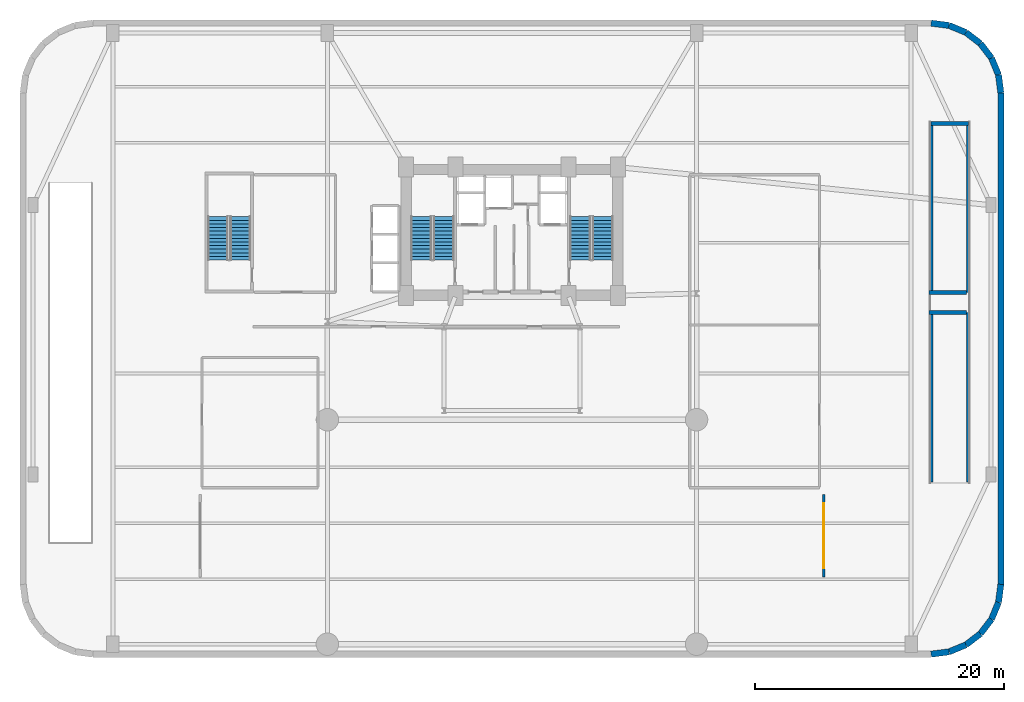
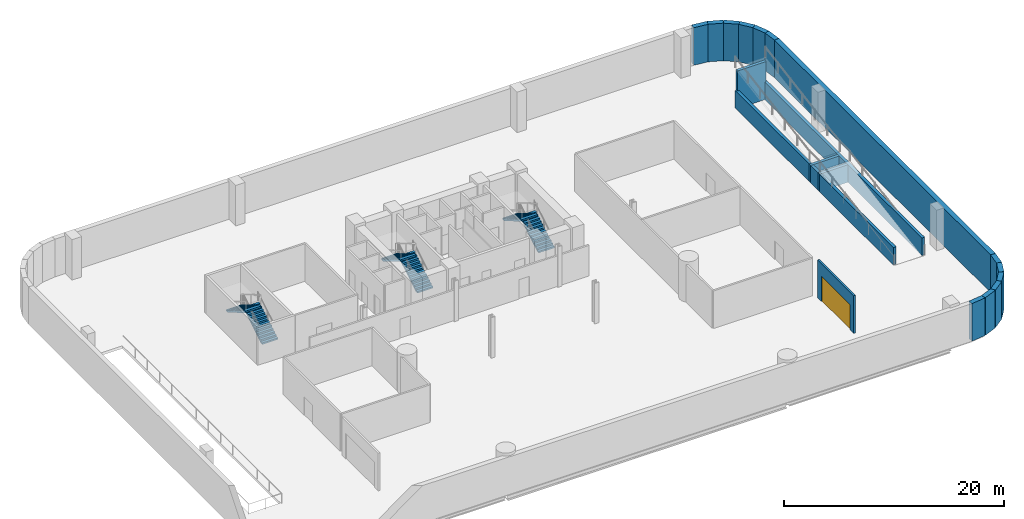
# One storey, part 5 of 8: 19 walls, 6 stair flights, 1 door, 1 opening, 3 elements without a shape of their own.
"""IFC4 building model written with IfcOpenShell, lengths in metres."""

from ifc_helpers import new_model, si_unit, direction, frame, frame_2d, origin, place, context, subcontext, project, spatial, polyline, rectangle, outline, extrude, material, layer, layer_set, type_object, element, fill, aggregate, save


model = new_model("IFC4")

# Units and contexts
model_context = context("Model", 3, precision=1e-05, world=origin(), true_north=direction((0.0, 1.0)))
body_context = subcontext(model_context, "Body", "Model", "MODEL_VIEW")
ifc_project = project(units=[si_unit("LENGTHUNIT", "METRE"), si_unit("AREAUNIT", "SQUARE_METRE"), si_unit("VOLUMEUNIT", "CUBIC_METRE"), si_unit("PLANEANGLEUNIT", "RADIAN"), si_unit("MASSUNIT", "GRAM", prefix="KILO")], contexts=[model_context])

# Site, building, storey
site_placement = place(None, origin())
site = spatial("IfcSite", under=ifc_project, at=site_placement, CompositionType="ELEMENT")
building_placement = place(site_placement, origin())
building = spatial("IfcBuilding", under=site, at=building_placement, Name="Varnelok Gate Tower", CompositionType="ELEMENT")
storey_placement = place(building_placement, frame((0.0, 0.0, -4.5)))
storey = spatial("IfcBuildingStorey", under=building, at=storey_placement, Name="B01", CompositionType="ELEMENT", Elevation=-4.5)

# Wall, opening, door
ifc_material_1 = material(Name="Concrete C35/45", Category="concrete")
ifc_layer_1 = layer(ifc_material_1, 0.199951171875)
ifc_layer_set_1 = layer_set([ifc_layer_1], Name="Concrete C35/45")
wall_type_1 = type_object("IfcWallType", Name="PW-SHAFT-200", PredefinedType="PARTITIONING", material=ifc_layer_set_1)
wall_1_placement = place(storey_placement, frame((64.199951171875, 6.199951171875, 0.0), z_axis=(0.0, 0.0, 1.0), x_axis=(0.0, 1.0, 0.0)))
wall_1 = element("IfcWall", 1, at=wall_1_placement, inside=storey, type_object=wall_type_1, Name="B01 Car Park Fire Zone Barrier 2", PredefinedType="PARTITIONING", context=body_context, shape_type="SweptSolid", body=[
    extrude(rectangle(XDim=6.60009765625, YDim=0.199951171875, at=frame_2d((3.300048828125, 0.0))), origin(), (0.0, 0.0, 1.0), 4.179931640625),
])
opening_placement = place(wall_1_placement, frame((0.699951171875, 0.0, 0.0)))
opening = element("IfcOpeningElement", 2, at=opening_placement, cuts=wall_1, Name="Opening VG-5", PredefinedType="OPENING", context=body_context, shape_type="SweptSolid", body=[
    extrude(rectangle(XDim=5.199951171875, YDim=2.800048828125, at=frame_2d((2.60009765625, 1.39990234375))), frame((0.0, 0.10986328125, 0.0), z_axis=(0.0, -1.0, 0.0), x_axis=(1.0, 0.0, 0.0)), (0.0, 0.0, 1.0), 0.219970703125),
])
ifc_material_2 = material(Name="Galvanized Steel Grade S350GD", Category="steel")
door_type = type_object("IfcDoorType", Name="DR-GATE-5200", OperationType="SLIDING_TO_LEFT", PredefinedType="GATE", material=ifc_material_2)
door_placement = place(opening_placement, origin())
door = element("IfcDoor", 3, at=door_placement, inside=storey, type_object=door_type, Name="B01 Car Park Fire Zone Gate", OperationType="SLIDING_TO_LEFT", OverallHeight=2.800048828125, OverallWidth=5.199951171875, PredefinedType="GATE", context=body_context, shape_type="SweptSolid", body=[
    extrude(rectangle(XDim=5.199951171875, YDim=2.800048828125, at=frame_2d((2.60009765625, 1.39990234375))), frame((0.0, 0.02490234375, 0.0), z_axis=(0.0, -1.0, 0.0), x_axis=(1.0, 0.0, 0.0)), (0.0, 0.0, 1.0), 0.050048828125),
])
fill(opening, door)

# Walls
ifc_material_3 = material(Name="Concrete C50/60", Category="concrete")
ifc_layer_2 = layer(ifc_material_3, 0.5)
ifc_layer_set_2 = layer_set([ifc_layer_2], Name="Concrete C50/60")
wall_type_2 = type_object("IfcWallType", Name="SW-RET-500", PredefinedType="SOLIDWALL", material=ifc_layer_set_2)
for number, where, z_axis, x_axis, name in (
    (4, (74.24951171875, 0.19091796875, 0.0), (0.0, 0.0, 1.0), (-0.991436666421, -0.130588423975, 0.0), "B01 Perimeter Retaining Wall 9"),
    (5, (75.60009765625, 0.750244140625, 0.0), (0.0, 0.0, 1.0), (-0.923904886994, -0.382622215492, 0.0), "B01 Perimeter Retaining Wall 10"),
):
    element("IfcWall", number, at=place(storey_placement, frame(where, z_axis=z_axis, x_axis=x_axis)), inside=storey, type_object=wall_type_2, Name=name, PredefinedType="SOLIDWALL", context=body_context, shape_type="SweptSolid", body=[
        extrude(rectangle(XDim=1.4619140625, YDim=0.5, at=frame_2d((0.73095703125, 0.0))), origin(), (0.0, 0.0, 1.0), 4.179931640625),
    ])
wall_2_placement = place(storey_placement, frame((76.759765625, 1.64013671875, 0.0), z_axis=(0.0, 0.0, 1.0), x_axis=(-0.793337464833, -0.608782117751, 0.0)))
element("IfcWall", 6, at=wall_2_placement, inside=storey, type_object=wall_type_2, Name="B01 Perimeter Retaining Wall 11", PredefinedType="SOLIDWALL", context=body_context, shape_type="SweptSolid", body=[
    extrude(rectangle(XDim=1.461669921875, YDim=0.5, at=frame_2d((0.73095703125, 0.0))), origin(), (0.0, 0.0, 1.0), 4.179931640625),
])
for number, where, z_axis, x_axis, name in (
    (7, (77.649658203125, 2.800048828125, 0.0), (0.0, 0.0, 1.0), (-0.608701460465, -0.793399352173, 0.0), "B01 Perimeter Retaining Wall 12"),
    (8, (78.209228515625, 4.150634765625, 0.0), (0.0, 0.0, 1.0), (-0.382764762462, -0.923845840288, 0.0), "B01 Perimeter Retaining Wall 13"),
    (9, (78.39990234375, 5.60009765625, 0.0), (0.0, 0.0, 1.0), (-0.130424273524, -0.991458273895, 0.0), "B01 Perimeter Retaining Wall 14"),
):
    element("IfcWall", number, at=place(storey_placement, frame(where, z_axis=z_axis, x_axis=x_axis)), inside=storey, type_object=wall_type_2, Name=name, PredefinedType="SOLIDWALL", context=body_context, shape_type="SweptSolid", body=[
        extrude(rectangle(XDim=1.4619140625, YDim=0.5, at=frame_2d((0.73095703125, 0.0))), origin(), (0.0, 0.0, 1.0), 4.179931640625),
    ])
wall_3_placement = place(storey_placement, frame((78.39990234375, 45.0, 0.0), z_axis=(0.0, 0.0, 1.0), x_axis=(0.0, -1.0, 0.0)))
element("IfcWall", 10, at=wall_3_placement, inside=storey, type_object=wall_type_2, Name="B01 Perimeter Retaining Wall 15", PredefinedType="SOLIDWALL", context=body_context, shape_type="SweptSolid", body=[
    extrude(rectangle(XDim=39.39990234375, YDim=0.5, at=frame_2d((19.699951171875, 0.0))), origin(), (0.0, 0.0, 1.0), 4.179931640625),
])
for number, where, z_axis, x_axis, name in (
    (11, (78.209228515625, 46.449462890625, 0.0), (0.0, 0.0, 1.0), (0.130424273524, -0.991458273895, 0.0), "B01 Perimeter Retaining Wall 16"),
    (12, (77.649658203125, 47.800048828125, 0.0), (0.0, 0.0, 1.0), (0.382764762462, -0.923845840288, 0.0), "B01 Perimeter Retaining Wall 17"),
):
    element("IfcWall", number, at=place(storey_placement, frame(where, z_axis=z_axis, x_axis=x_axis)), inside=storey, type_object=wall_type_2, Name=name, PredefinedType="SOLIDWALL", context=body_context, shape_type="SweptSolid", body=[
        extrude(rectangle(XDim=1.4619140625, YDim=0.5, at=frame_2d((0.73095703125, 0.0))), origin(), (0.0, 0.0, 1.0), 4.179931640625),
    ])
for number, where, z_axis, x_axis, name in (
    (13, (76.759765625, 48.959716796875, 0.0), (0.0, 0.0, 1.0), (0.608782117751, -0.793337464833, 0.0), "B01 Perimeter Retaining Wall 18"),
    (14, (75.60009765625, 49.849609375, 0.0), (0.0, 0.0, 1.0), (0.793337464833, -0.608782117751, 0.0), "B01 Perimeter Retaining Wall 19"),
):
    element("IfcWall", number, at=place(storey_placement, frame(where, z_axis=z_axis, x_axis=x_axis)), inside=storey, type_object=wall_type_2, Name=name, PredefinedType="SOLIDWALL", context=body_context, shape_type="SweptSolid", body=[
        extrude(rectangle(XDim=1.461669921875, YDim=0.5, at=frame_2d((0.73095703125, 0.0))), origin(), (0.0, 0.0, 1.0), 4.179931640625),
    ])
for number, where, z_axis, x_axis, name in (
    (15, (74.24951171875, 50.4091796875, 0.0), (0.0, 0.0, 1.0), (0.923845840288, -0.382764762462, 0.0), "B01 Perimeter Retaining Wall 20"),
    (16, (72.800048828125, 50.60009765625, 0.0), (0.0, 0.0, 1.0), (0.991436666421, -0.130588423975, 0.0), "B01 Perimeter Retaining Wall 21"),
):
    element("IfcWall", number, at=place(storey_placement, frame(where, z_axis=z_axis, x_axis=x_axis)), inside=storey, type_object=wall_type_2, Name=name, PredefinedType="SOLIDWALL", context=body_context, shape_type="SweptSolid", body=[
        extrude(rectangle(XDim=1.4619140625, YDim=0.5, at=frame_2d((0.73095703125, 0.0))), origin(), (0.0, 0.0, 1.0), 4.179931640625),
    ])
ifc_material_4 = material(Name="Concrete C60/75", Category="concrete")
ifc_layer_3 = layer(ifc_material_4, 0.300048828125)
ifc_layer_set_3 = layer_set([ifc_layer_3], Name="Concrete C60/75")
wall_type_3 = type_object("IfcWallType", Name="SW-SHAFT-300", PredefinedType="SHEAR", material=ifc_layer_set_3)
for number, where, z_axis, x_axis, name in (
    (17, (72.64990234375, 27.39990234375, 0.0), (0.0, 0.0, 1.0), (1.0, 0.0, 0.0), "B01 East Ramp Mid-Landing Support Wall 1"),
    (18, (72.64990234375, 29.0, 0.0), (0.0, 0.0, 1.0), (1.0, 0.0, 0.0), "B01 East Ramp Mid-Landing Support Wall 2"),
):
    element("IfcWall", number, at=place(storey_placement, frame(where, z_axis=z_axis, x_axis=x_axis)), inside=storey, type_object=wall_type_3, Name=name, PredefinedType="SHEAR", context=body_context, shape_type="SweptSolid", body=[
        extrude(rectangle(XDim=3.0, YDim=0.300048828125, at=frame_2d((1.5, 0.0))), origin(), (0.0, 0.0, 1.0), 1.949951171875),
    ])
for number, where, z_axis, x_axis, name in (
    (19, (75.800048828125, 13.800048828125, 0.0), (0.0, 0.0, 1.0), (0.0, 1.0, 0.0), "B01 East Ramp East Flank Support Wall"),
    (20, (72.800048828125, 13.800048828125, 0.0), (0.0, 0.0, 1.0), (0.0, 1.0, 0.0), "B01 East Ramp West Flank Support Wall"),
):
    element("IfcWall", number, at=place(storey_placement, frame(where, z_axis=z_axis, x_axis=x_axis)), inside=storey, type_object=wall_type_3, Name=name, PredefinedType="SHEAR", context=body_context, shape_type="SweptSolid", body=[
        extrude(rectangle(XDim=28.800048828125, YDim=0.300048828125, at=frame_2d((14.39990234375, 0.0))), origin(), (0.0, 0.0, 1.0), 1.949951171875),
    ])
wall_4_placement = place(storey_placement, frame((72.800048828125, 42.550048828125, 0.0), z_axis=(0.0, 0.0, 1.0), x_axis=(1.0, 0.0, 0.0)))
element("IfcWall", 21, at=wall_4_placement, inside=storey, type_object=wall_type_3, Name="B01 East Ramp Top Header Support Wall", PredefinedType="SHEAR", context=body_context, shape_type="SweptSolid", body=[
    extrude(rectangle(XDim=3.0, YDim=0.300048828125, at=frame_2d((1.5, 0.0))), origin(), (0.0, 0.0, 1.0), 4.179931640625),
])

# Stair, stair flights
stair_type = type_object("IfcStairType", Name="STR-CORE-1650", PredefinedType="HALF_TURN_STAIR", material=ifc_material_3)
stair_1_placement = place(storey_placement, origin())
stair_1 = element("IfcStair", 22, at=stair_1_placement, inside=storey, type_object=stair_type, Name="B01 Exit Stair ST-1", PredefinedType="HALF_TURN_STAIR")
stair_flight_type = type_object("IfcStairFlightType", Name="SFL-CORE-1650", PredefinedType="STRAIGHT", material=ifc_material_3)
stair_flight_1_placement = place(storey_placement, frame((33.72509765625, 31.60009765625, 0.0), z_axis=(0.0, 0.0, 1.0), x_axis=(0.0, 1.0, 0.0)))
stair_flight_1 = element("IfcStairFlight", 23, at=stair_flight_1_placement, type_object=stair_flight_type, Name="ST-1 flight 1", NumberOfRisers=13, NumberOfTreads=12, PredefinedType="STRAIGHT", RiserHeight=0.173076923, TreadLength=0.29, context=body_context, shape_type="SweptSolid", body=[
    extrude(outline(polyline([(0.0, 0.0), (0.0, 0.173095703125), (0.2900390625, 0.173095703125), (0.2900390625, 0.34619140625), (0.580078125, 0.34619140625), (0.580078125, 0.519287109375), (0.8701171875, 0.519287109375), (0.8701171875, 0.6923828125), (1.159912109375, 0.6923828125), (1.159912109375, 0.865478515625), (1.449951171875, 0.865478515625), (1.449951171875, 1.03857421875), (1.739990234375, 1.03857421875), (1.739990234375, 1.21142578125), (2.030029296875, 1.21142578125), (2.030029296875, 1.384521484375), (2.320068359375, 1.384521484375), (2.320068359375, 1.5576171875), (2.610107421875, 1.5576171875), (2.610107421875, 1.730712890625), (2.89990234375, 1.730712890625), (2.89990234375, 1.90380859375), (3.18994140625, 1.90380859375), (3.18994140625, 2.076904296875), (3.47998046875, 2.076904296875), (3.47998046875, 2.25), (3.47998046875, 1.90234375), (0.29248046875, 0.0), (0.0, 0.0)])), frame((0.0, 0.824951171875, 0.0), z_axis=(0.0, -1.0, 0.0), x_axis=(1.0, 0.0, 0.0)), (0.0, 0.0, 1.0), 1.64990234375),
])
stair_flight_2_placement = place(storey_placement, frame((31.925048828125, 35.080078125, 2.25), z_axis=(0.0, 0.0, 1.0), x_axis=(0.0, -1.0, 0.0)))
stair_flight_2 = element("IfcStairFlight", 24, at=stair_flight_2_placement, type_object=stair_flight_type, Name="ST-1 flight 2", NumberOfRisers=13, NumberOfTreads=12, PredefinedType="STRAIGHT", RiserHeight=0.173076923, TreadLength=0.29, context=body_context, shape_type="SweptSolid", body=[
    extrude(outline(polyline([(0.0, 0.0), (0.0, 0.173095703125), (0.2900390625, 0.173095703125), (0.2900390625, 0.34619140625), (0.580078125, 0.34619140625), (0.580078125, 0.519287109375), (0.8701171875, 0.519287109375), (0.8701171875, 0.6923828125), (1.159912109375, 0.6923828125), (1.159912109375, 0.865478515625), (1.449951171875, 0.865478515625), (1.449951171875, 1.03857421875), (1.739990234375, 1.03857421875), (1.739990234375, 1.21142578125), (2.030029296875, 1.21142578125), (2.030029296875, 1.384521484375), (2.320068359375, 1.384521484375), (2.320068359375, 1.5576171875), (2.610107421875, 1.5576171875), (2.610107421875, 1.730712890625), (2.89990234375, 1.730712890625), (2.89990234375, 1.90380859375), (3.18994140625, 1.90380859375), (3.18994140625, 2.076904296875), (3.47998046875, 2.076904296875), (3.47998046875, 2.25), (3.47998046875, 1.90234375), (0.29248046875, 0.0), (0.0, 0.0)])), frame((0.0, 0.824951171875, 0.0), z_axis=(0.0, -1.0, 0.0), x_axis=(1.0, 0.0, 0.0)), (0.0, 0.0, 1.0), 1.64990234375),
])
aggregate(stair_1, [stair_flight_1, stair_flight_2])

stair_2_placement = place(storey_placement, origin())
stair_2 = element("IfcStair", 25, at=stair_2_placement, inside=storey, type_object=stair_type, Name="B01 Exit Stair ST-2", PredefinedType="HALF_TURN_STAIR")
stair_flight_3_placement = place(storey_placement, frame((46.47509765625, 31.60009765625, 0.0), z_axis=(0.0, 0.0, 1.0), x_axis=(0.0, 1.0, 0.0)))
stair_flight_3 = element("IfcStairFlight", 26, at=stair_flight_3_placement, type_object=stair_flight_type, Name="ST-2 flight 1", NumberOfRisers=13, NumberOfTreads=12, PredefinedType="STRAIGHT", RiserHeight=0.173076923, TreadLength=0.29, context=body_context, shape_type="SweptSolid", body=[
    extrude(outline(polyline([(0.0, 0.0), (0.0, 0.173095703125), (0.2900390625, 0.173095703125), (0.2900390625, 0.34619140625), (0.580078125, 0.34619140625), (0.580078125, 0.519287109375), (0.8701171875, 0.519287109375), (0.8701171875, 0.6923828125), (1.159912109375, 0.6923828125), (1.159912109375, 0.865478515625), (1.449951171875, 0.865478515625), (1.449951171875, 1.03857421875), (1.739990234375, 1.03857421875), (1.739990234375, 1.21142578125), (2.030029296875, 1.21142578125), (2.030029296875, 1.384521484375), (2.320068359375, 1.384521484375), (2.320068359375, 1.5576171875), (2.610107421875, 1.5576171875), (2.610107421875, 1.730712890625), (2.89990234375, 1.730712890625), (2.89990234375, 1.90380859375), (3.18994140625, 1.90380859375), (3.18994140625, 2.076904296875), (3.47998046875, 2.076904296875), (3.47998046875, 2.25), (3.47998046875, 1.90234375), (0.29248046875, 0.0), (0.0, 0.0)])), frame((0.0, 0.824951171875, 0.0), z_axis=(0.0, -1.0, 0.0), x_axis=(1.0, 0.0, 0.0)), (0.0, 0.0, 1.0), 1.64990234375),
])
stair_flight_4_placement = place(storey_placement, frame((44.675048828125, 35.080078125, 2.25), z_axis=(0.0, 0.0, 1.0), x_axis=(0.0, -1.0, 0.0)))
stair_flight_4 = element("IfcStairFlight", 27, at=stair_flight_4_placement, type_object=stair_flight_type, Name="ST-2 flight 2", NumberOfRisers=13, NumberOfTreads=12, PredefinedType="STRAIGHT", RiserHeight=0.173076923, TreadLength=0.29, context=body_context, shape_type="SweptSolid", body=[
    extrude(outline(polyline([(0.0, 0.0), (0.0, 0.173095703125), (0.2900390625, 0.173095703125), (0.2900390625, 0.34619140625), (0.580078125, 0.34619140625), (0.580078125, 0.519287109375), (0.8701171875, 0.519287109375), (0.8701171875, 0.6923828125), (1.159912109375, 0.6923828125), (1.159912109375, 0.865478515625), (1.449951171875, 0.865478515625), (1.449951171875, 1.03857421875), (1.739990234375, 1.03857421875), (1.739990234375, 1.21142578125), (2.030029296875, 1.21142578125), (2.030029296875, 1.384521484375), (2.320068359375, 1.384521484375), (2.320068359375, 1.5576171875), (2.610107421875, 1.5576171875), (2.610107421875, 1.730712890625), (2.89990234375, 1.730712890625), (2.89990234375, 1.90380859375), (3.18994140625, 1.90380859375), (3.18994140625, 2.076904296875), (3.47998046875, 2.076904296875), (3.47998046875, 2.25), (3.47998046875, 1.90234375), (0.29248046875, 0.0), (0.0, 0.0)])), frame((0.0, 0.824951171875, 0.0), z_axis=(0.0, -1.0, 0.0), x_axis=(1.0, 0.0, 0.0)), (0.0, 0.0, 1.0), 1.64990234375),
])
aggregate(stair_2, [stair_flight_3, stair_flight_4])

stair_3_placement = place(storey_placement, origin())
stair_3 = element("IfcStair", 28, at=stair_3_placement, inside=storey, type_object=stair_type, Name="B01 Podium Exit Stair ST-3", PredefinedType="HALF_TURN_STAIR")
stair_flight_5_placement = place(storey_placement, frame((17.425048828125, 31.60009765625, 0.0), z_axis=(0.0, 0.0, 1.0), x_axis=(0.0, 1.0, 0.0)))
stair_flight_5 = element("IfcStairFlight", 29, at=stair_flight_5_placement, type_object=stair_flight_type, Name="ST-3 flight 1", NumberOfRisers=13, NumberOfTreads=12, PredefinedType="STRAIGHT", RiserHeight=0.173076923, TreadLength=0.29, context=body_context, shape_type="SweptSolid", body=[
    extrude(outline(polyline([(0.0, 0.0), (0.0, 0.173095703125), (0.2900390625, 0.173095703125), (0.2900390625, 0.34619140625), (0.580078125, 0.34619140625), (0.580078125, 0.519287109375), (0.8701171875, 0.519287109375), (0.8701171875, 0.6923828125), (1.159912109375, 0.6923828125), (1.159912109375, 0.865478515625), (1.449951171875, 0.865478515625), (1.449951171875, 1.03857421875), (1.739990234375, 1.03857421875), (1.739990234375, 1.21142578125), (2.030029296875, 1.21142578125), (2.030029296875, 1.384521484375), (2.320068359375, 1.384521484375), (2.320068359375, 1.5576171875), (2.610107421875, 1.5576171875), (2.610107421875, 1.730712890625), (2.89990234375, 1.730712890625), (2.89990234375, 1.90380859375), (3.18994140625, 1.90380859375), (3.18994140625, 2.076904296875), (3.47998046875, 2.076904296875), (3.47998046875, 2.25), (3.47998046875, 1.90234375), (0.29248046875, 0.0), (0.0, 0.0)])), frame((0.0, 0.824951171875, 0.0), z_axis=(0.0, -1.0, 0.0), x_axis=(1.0, 0.0, 0.0)), (0.0, 0.0, 1.0), 1.64990234375),
])
stair_flight_6_placement = place(storey_placement, frame((15.625, 35.080078125, 2.25), z_axis=(0.0, 0.0, 1.0), x_axis=(0.0, -1.0, 0.0)))
stair_flight_6 = element("IfcStairFlight", 30, at=stair_flight_6_placement, type_object=stair_flight_type, Name="ST-3 flight 2", NumberOfRisers=13, NumberOfTreads=12, PredefinedType="STRAIGHT", RiserHeight=0.173076923, TreadLength=0.29, context=body_context, shape_type="SweptSolid", body=[
    extrude(outline(polyline([(0.0, 0.0), (0.0, 0.173095703125), (0.2900390625, 0.173095703125), (0.2900390625, 0.34619140625), (0.580078125, 0.34619140625), (0.580078125, 0.519287109375), (0.8701171875, 0.519287109375), (0.8701171875, 0.6923828125), (1.159912109375, 0.6923828125), (1.159912109375, 0.865478515625), (1.449951171875, 0.865478515625), (1.449951171875, 1.03857421875), (1.739990234375, 1.03857421875), (1.739990234375, 1.21142578125), (2.030029296875, 1.21142578125), (2.030029296875, 1.384521484375), (2.320068359375, 1.384521484375), (2.320068359375, 1.5576171875), (2.610107421875, 1.5576171875), (2.610107421875, 1.730712890625), (2.89990234375, 1.730712890625), (2.89990234375, 1.90380859375), (3.18994140625, 1.90380859375), (3.18994140625, 2.076904296875), (3.47998046875, 2.076904296875), (3.47998046875, 2.25), (3.47998046875, 1.90234375), (0.29248046875, 0.0), (0.0, 0.0)])), frame((0.0, 0.824951171875, 0.0), z_axis=(0.0, -1.0, 0.0), x_axis=(1.0, 0.0, 0.0)), (0.0, 0.0, 1.0), 1.64990234375),
])
aggregate(stair_3, [stair_flight_5, stair_flight_6])

save(model, "model.ifc")
